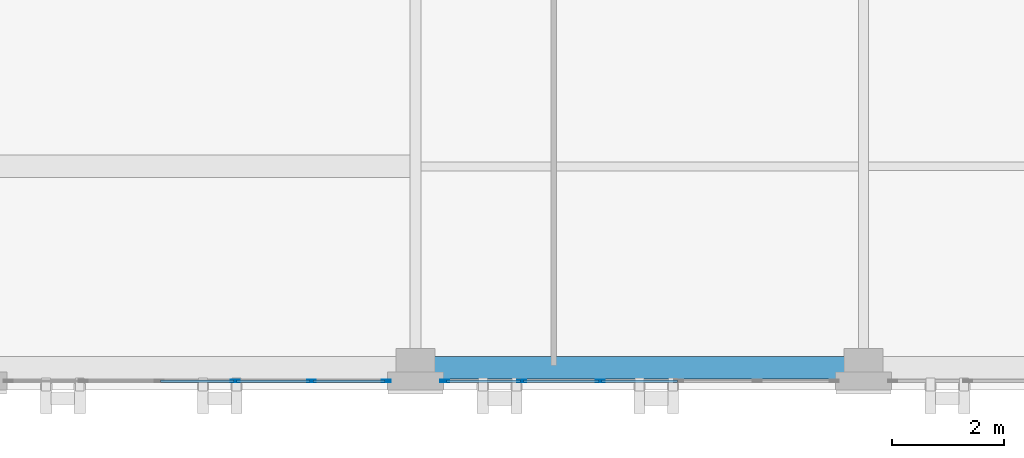
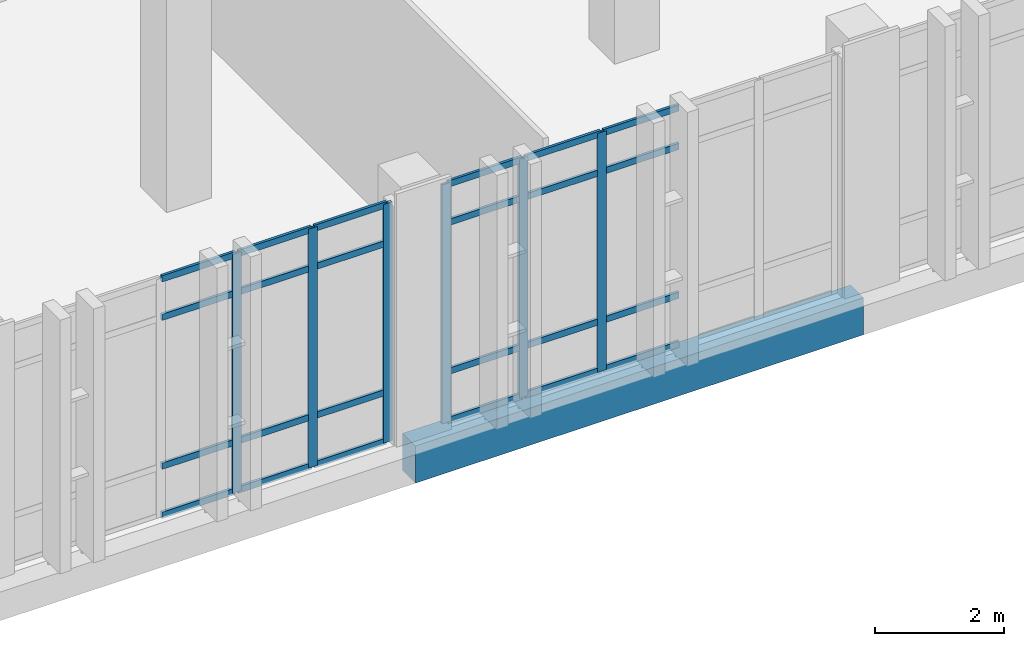
# One storey, part 117 of 189: 30 members, 1 beam, 2 elements without a shape of their own.
"""IFC4 building model written with IfcOpenShell, lengths in metres."""

from ifc_helpers import new_model, si_unit, direction, frame, origin, origin_2d, place, context, subcontext, project, spatial, rectangle, hollow_rectangle, extrude, material, layer, layer_set, material_profile, profile_set, type_object, element, aggregate, save


model = new_model("IFC4")

# Units and contexts
model_context = context("Model", 3, precision=1e-05, world=origin(), true_north=direction((0.0, 1.0)))
body_context = subcontext(model_context, "Body", "Model", "MODEL_VIEW")
ifc_project = project(units=[si_unit("LENGTHUNIT", "METRE"), si_unit("AREAUNIT", "SQUARE_METRE"), si_unit("VOLUMEUNIT", "CUBIC_METRE"), si_unit("PLANEANGLEUNIT", "RADIAN"), si_unit("MASSUNIT", "GRAM", prefix="KILO")], contexts=[model_context])

# Site, building, storey
site_placement = place(None, origin())
site = spatial("IfcSite", under=ifc_project, at=site_placement, CompositionType="ELEMENT")
building_placement = place(site_placement, origin())
building = spatial("IfcBuilding", under=site, at=building_placement, Name="Qalavern Law Courts", CompositionType="ELEMENT")
storey_placement = place(building_placement, frame((0.0, 0.0, 5.39990234375)))
storey = spatial("IfcBuildingStorey", under=building, at=storey_placement, Name="L01", CompositionType="ELEMENT", Elevation=5.39990234375)

# Curtain wall, members
ifc_material_1 = material(Name="Anodised aluminium and insulated glazing", Category="aluminium")
ifc_layer = layer(ifc_material_1, 0.172119140625)
ifc_layer_set = layer_set([ifc_layer], Name="Anodised aluminium and insulated glazing")
curtain_wall_type = type_object("IfcCurtainWallType", Name="ENV-CW-COURT", PredefinedType="USERDEFINED", material=ifc_layer_set)
curtain_wall_1_placement = place(storey_placement, origin())
curtain_wall_1 = element("IfcCurtainWall", 1, at=curtain_wall_1_placement, inside=storey, type_object=curtain_wall_type, Name="V6 unitised curtain wall L01 south 5", ObjectType="UNITISED CURTAIN WALL", PredefinedType="USERDEFINED")
ifc_material_2 = material(Name="Anodised aluminium", Category="aluminium")
ifc_material_profile_1 = material_profile(ifc_material_2, hollow_rectangle(XDim=0.048095703125, YDim=0.159912109375, WallThickness=0.00390625, at=origin_2d()), Name="ALU MULLION 48x160")
ifc_profile_set_1 = profile_set([ifc_material_profile_1], Name="Anodised aluminium")
member_type_1 = type_object("IfcMemberType", Name="ENV-CWM-48x160", PredefinedType="MULLION", material=ifc_profile_set_1)
member_1_placement = place(storey_placement, frame((146.580078125, 1.16259765625, 0.0), z_axis=(0.0, 0.0, 1.0), x_axis=(0.0, 1.0, 0.0)))
member_1 = element("IfcMember", 2, at=member_1_placement, type_object=member_type_1, Name="CW-03 mullion 4", PredefinedType="MULLION", context=body_context, shape_type="SweptSolid", body=[
    extrude(hollow_rectangle(XDim=0.048095703125, YDim=0.159912109375, WallThickness=0.00390625, at=origin_2d()), origin(), (0.0, 0.0, 1.0), 4.510009765625),
])
member_2_placement = place(storey_placement, frame((147.93994140625, 1.16259765625, 0.0), z_axis=(0.0, 0.0, 1.0), x_axis=(0.0, 1.0, 0.0)))
member_2 = element("IfcMember", 3, at=member_2_placement, type_object=member_type_1, Name="CW-03 mullion 5", PredefinedType="MULLION", context=body_context, shape_type="SweptSolid", body=[
    extrude(hollow_rectangle(XDim=0.048095703125, YDim=0.159912109375, WallThickness=0.00390625, at=origin_2d()), origin(), (0.0, 0.0, 1.0), 4.510009765625),
])
member_3_placement = place(storey_placement, frame((149.27587890625, 1.16259765625, 0.0), z_axis=(0.0, 0.0, 1.0), x_axis=(0.0, 1.0, 0.0)))
member_3 = element("IfcMember", 4, at=member_3_placement, type_object=member_type_1, Name="CW-03 mullion 6", PredefinedType="MULLION", context=body_context, shape_type="SweptSolid", body=[
    extrude(hollow_rectangle(XDim=0.048095703125, YDim=0.159912109375, WallThickness=0.00390625, at=origin_2d()), origin(), (0.0, 0.0, 1.0), 4.510009765625),
])

curtain_wall_2_placement = place(storey_placement, origin())
curtain_wall_2 = element("IfcCurtainWall", 5, at=curtain_wall_2_placement, inside=storey, type_object=curtain_wall_type, Name="V6 unitised curtain wall L01 south 6", ObjectType="UNITISED CURTAIN WALL", PredefinedType="USERDEFINED")
member_4_placement = place(storey_placement, frame((150.323974609375, 1.16259765625, 0.0), z_axis=(0.0, 0.0, 1.0), x_axis=(0.0, 1.0, 0.0)))
member_4 = element("IfcMember", 6, at=member_4_placement, type_object=member_type_1, Name="CW-03 mullion 1", PredefinedType="MULLION", context=body_context, shape_type="SweptSolid", body=[
    extrude(hollow_rectangle(XDim=0.048095703125, YDim=0.159912109375, WallThickness=0.00390625, at=origin_2d()), origin(), (0.0, 0.0, 1.0), 4.510009765625),
])
member_5_placement = place(storey_placement, frame((151.699951171875, 1.16259765625, 0.0), z_axis=(0.0, 0.0, 1.0), x_axis=(0.0, 1.0, 0.0)))
member_5 = element("IfcMember", 7, at=member_5_placement, type_object=member_type_1, Name="CW-03 mullion 2", PredefinedType="MULLION", context=body_context, shape_type="SweptSolid", body=[
    extrude(hollow_rectangle(XDim=0.048095703125, YDim=0.159912109375, WallThickness=0.00390625, at=origin_2d()), origin(), (0.0, 0.0, 1.0), 4.510009765625),
])
member_6_placement = place(storey_placement, frame((153.10009765625, 1.16259765625, 0.0), z_axis=(0.0, 0.0, 1.0), x_axis=(0.0, 1.0, 0.0)))
member_6 = element("IfcMember", 8, at=member_6_placement, type_object=member_type_1, Name="CW-03 mullion 3", PredefinedType="MULLION", context=body_context, shape_type="SweptSolid", body=[
    extrude(hollow_rectangle(XDim=0.048095703125, YDim=0.159912109375, WallThickness=0.00390625, at=origin_2d()), origin(), (0.0, 0.0, 1.0), 4.510009765625),
])

# Member
ifc_material_profile_2 = material_profile(ifc_material_2, hollow_rectangle(XDim=0.048095703125, YDim=0.1201171875, WallThickness=0.00390625, at=origin_2d()), Name="ALU TRANSOM 48x120")
ifc_profile_set_2 = profile_set([ifc_material_profile_2], Name="Anodised aluminium")
member_type_2 = type_object("IfcMemberType", Name="ENV-CWT-48x120", PredefinedType="USERDEFINED", material=ifc_profile_set_2)
member_7_placement = place(storey_placement, frame((145.243896484375, 1.16259765625, 0.024169921875), z_axis=(1.0, 0.0, 0.0), x_axis=(0.0, 1.0, 0.0)))
member_7 = element("IfcMember", 9, at=member_7_placement, type_object=member_type_2, Name="CW-03 transom 3.1", ObjectType="TRANSOM", PredefinedType="USERDEFINED", context=body_context, shape_type="SweptSolid", body=[
    extrude(hollow_rectangle(XDim=0.048095703125, YDim=0.1201171875, WallThickness=0.00390625, at=origin_2d()), origin(), (0.0, 0.0, 1.0), 1.31201171875),
])

member_8_placement = place(storey_placement, frame((145.243896484375, 1.16259765625, 0.9501953125), z_axis=(1.0, 0.0, 0.0), x_axis=(0.0, 1.0, 0.0)))
member_8 = element("IfcMember", 10, at=member_8_placement, type_object=member_type_2, Name="CW-03 transom 3.2", ObjectType="TRANSOM", PredefinedType="USERDEFINED", context=body_context, shape_type="SweptSolid", body=[
    extrude(hollow_rectangle(XDim=0.048095703125, YDim=0.1201171875, WallThickness=0.00390625, at=origin_2d()), origin(), (0.0, 0.0, 1.0), 1.31201171875),
])

member_9_placement = place(storey_placement, frame((145.243896484375, 1.16259765625, 3.760009765625), z_axis=(1.0, 0.0, 0.0), x_axis=(0.0, 1.0, 0.0)))
member_9 = element("IfcMember", 11, at=member_9_placement, type_object=member_type_2, Name="CW-03 transom 3.3", ObjectType="TRANSOM", PredefinedType="USERDEFINED", context=body_context, shape_type="SweptSolid", body=[
    extrude(hollow_rectangle(XDim=0.048095703125, YDim=0.1201171875, WallThickness=0.00390625, at=origin_2d()), origin(), (0.0, 0.0, 1.0), 1.31201171875),
])

member_10_placement = place(storey_placement, frame((145.243896484375, 1.16259765625, 4.486083984375), z_axis=(1.0, 0.0, 0.0), x_axis=(0.0, 1.0, 0.0)))
member_10 = element("IfcMember", 12, at=member_10_placement, type_object=member_type_2, Name="CW-03 transom 3.4", ObjectType="TRANSOM", PredefinedType="USERDEFINED", context=body_context, shape_type="SweptSolid", body=[
    extrude(hollow_rectangle(XDim=0.048095703125, YDim=0.1201171875, WallThickness=0.00390625, at=origin_2d()), origin(), (0.0, 0.0, 1.0), 1.31201171875),
])

member_11_placement = place(storey_placement, frame((146.60400390625, 1.16259765625, 0.024169921875), z_axis=(1.0, 0.0, 0.0), x_axis=(0.0, 1.0, 0.0)))
member_11 = element("IfcMember", 13, at=member_11_placement, type_object=member_type_2, Name="CW-03 transom 4.1", ObjectType="TRANSOM", PredefinedType="USERDEFINED", context=body_context, shape_type="SweptSolid", body=[
    extrude(hollow_rectangle(XDim=0.048095703125, YDim=0.1201171875, WallThickness=0.00390625, at=origin_2d()), origin(), (0.0, 0.0, 1.0), 1.31201171875),
])

member_12_placement = place(storey_placement, frame((146.60400390625, 1.16259765625, 0.9501953125), z_axis=(1.0, 0.0, 0.0), x_axis=(0.0, 1.0, 0.0)))
member_12 = element("IfcMember", 14, at=member_12_placement, type_object=member_type_2, Name="CW-03 transom 4.2", ObjectType="TRANSOM", PredefinedType="USERDEFINED", context=body_context, shape_type="SweptSolid", body=[
    extrude(hollow_rectangle(XDim=0.048095703125, YDim=0.1201171875, WallThickness=0.00390625, at=origin_2d()), origin(), (0.0, 0.0, 1.0), 1.31201171875),
])

member_13_placement = place(storey_placement, frame((146.60400390625, 1.16259765625, 3.760009765625), z_axis=(1.0, 0.0, 0.0), x_axis=(0.0, 1.0, 0.0)))
member_13 = element("IfcMember", 15, at=member_13_placement, type_object=member_type_2, Name="CW-03 transom 4.3", ObjectType="TRANSOM", PredefinedType="USERDEFINED", context=body_context, shape_type="SweptSolid", body=[
    extrude(hollow_rectangle(XDim=0.048095703125, YDim=0.1201171875, WallThickness=0.00390625, at=origin_2d()), origin(), (0.0, 0.0, 1.0), 1.31201171875),
])

member_14_placement = place(storey_placement, frame((146.60400390625, 1.16259765625, 4.486083984375), z_axis=(1.0, 0.0, 0.0), x_axis=(0.0, 1.0, 0.0)))
member_14 = element("IfcMember", 16, at=member_14_placement, type_object=member_type_2, Name="CW-03 transom 4.4", ObjectType="TRANSOM", PredefinedType="USERDEFINED", context=body_context, shape_type="SweptSolid", body=[
    extrude(hollow_rectangle(XDim=0.048095703125, YDim=0.1201171875, WallThickness=0.00390625, at=origin_2d()), origin(), (0.0, 0.0, 1.0), 1.31201171875),
])

member_15_placement = place(storey_placement, frame((147.964111328125, 1.16259765625, 0.024169921875), z_axis=(1.0, 0.0, 0.0), x_axis=(0.0, 1.0, 0.0)))
member_15 = element("IfcMember", 17, at=member_15_placement, type_object=member_type_2, Name="CW-03 transom 5.1", ObjectType="TRANSOM", PredefinedType="USERDEFINED", context=body_context, shape_type="SweptSolid", body=[
    extrude(hollow_rectangle(XDim=0.048095703125, YDim=0.1201171875, WallThickness=0.00390625, at=origin_2d()), origin(), (0.0, 0.0, 1.0), 1.287841796875),
])

member_16_placement = place(storey_placement, frame((147.964111328125, 1.16259765625, 0.9501953125), z_axis=(1.0, 0.0, 0.0), x_axis=(0.0, 1.0, 0.0)))
member_16 = element("IfcMember", 18, at=member_16_placement, type_object=member_type_2, Name="CW-03 transom 5.2", ObjectType="TRANSOM", PredefinedType="USERDEFINED", context=body_context, shape_type="SweptSolid", body=[
    extrude(hollow_rectangle(XDim=0.048095703125, YDim=0.1201171875, WallThickness=0.00390625, at=origin_2d()), origin(), (0.0, 0.0, 1.0), 1.287841796875),
])

member_17_placement = place(storey_placement, frame((147.964111328125, 1.16259765625, 3.760009765625), z_axis=(1.0, 0.0, 0.0), x_axis=(0.0, 1.0, 0.0)))
member_17 = element("IfcMember", 19, at=member_17_placement, type_object=member_type_2, Name="CW-03 transom 5.3", ObjectType="TRANSOM", PredefinedType="USERDEFINED", context=body_context, shape_type="SweptSolid", body=[
    extrude(hollow_rectangle(XDim=0.048095703125, YDim=0.1201171875, WallThickness=0.00390625, at=origin_2d()), origin(), (0.0, 0.0, 1.0), 1.287841796875),
])

member_18_placement = place(storey_placement, frame((147.964111328125, 1.16259765625, 4.486083984375), z_axis=(1.0, 0.0, 0.0), x_axis=(0.0, 1.0, 0.0)))
member_18 = element("IfcMember", 20, at=member_18_placement, type_object=member_type_2, Name="CW-03 transom 5.4", ObjectType="TRANSOM", PredefinedType="USERDEFINED", context=body_context, shape_type="SweptSolid", body=[
    extrude(hollow_rectangle(XDim=0.048095703125, YDim=0.1201171875, WallThickness=0.00390625, at=origin_2d()), origin(), (0.0, 0.0, 1.0), 1.287841796875),
])

aggregate(curtain_wall_1, [member_1, member_2, member_3, member_7, member_8, member_9, member_10, member_11, member_12, member_13, member_14, member_15, member_16, member_17, member_18])

member_19_placement = place(storey_placement, frame((150.347900390625, 1.16259765625, 0.024169921875), z_axis=(1.0, 0.0, 0.0), x_axis=(0.0, 1.0, 0.0)))
member_19 = element("IfcMember", 21, at=member_19_placement, type_object=member_type_2, Name="CW-03 transom 1.1", ObjectType="TRANSOM", PredefinedType="USERDEFINED", context=body_context, shape_type="SweptSolid", body=[
    extrude(hollow_rectangle(XDim=0.048095703125, YDim=0.1201171875, WallThickness=0.00390625, at=origin_2d()), origin(), (0.0, 0.0, 1.0), 1.328125),
])

member_20_placement = place(storey_placement, frame((150.347900390625, 1.16259765625, 0.9501953125), z_axis=(1.0, 0.0, 0.0), x_axis=(0.0, 1.0, 0.0)))
member_20 = element("IfcMember", 22, at=member_20_placement, type_object=member_type_2, Name="CW-03 transom 1.2", ObjectType="TRANSOM", PredefinedType="USERDEFINED", context=body_context, shape_type="SweptSolid", body=[
    extrude(hollow_rectangle(XDim=0.048095703125, YDim=0.1201171875, WallThickness=0.00390625, at=origin_2d()), origin(), (0.0, 0.0, 1.0), 1.328125),
])

member_21_placement = place(storey_placement, frame((150.347900390625, 1.16259765625, 3.760009765625), z_axis=(1.0, 0.0, 0.0), x_axis=(0.0, 1.0, 0.0)))
member_21 = element("IfcMember", 23, at=member_21_placement, type_object=member_type_2, Name="CW-03 transom 1.3", ObjectType="TRANSOM", PredefinedType="USERDEFINED", context=body_context, shape_type="SweptSolid", body=[
    extrude(hollow_rectangle(XDim=0.048095703125, YDim=0.1201171875, WallThickness=0.00390625, at=origin_2d()), origin(), (0.0, 0.0, 1.0), 1.328125),
])

member_22_placement = place(storey_placement, frame((150.347900390625, 1.16259765625, 4.486083984375), z_axis=(1.0, 0.0, 0.0), x_axis=(0.0, 1.0, 0.0)))
member_22 = element("IfcMember", 24, at=member_22_placement, type_object=member_type_2, Name="CW-03 transom 1.4", ObjectType="TRANSOM", PredefinedType="USERDEFINED", context=body_context, shape_type="SweptSolid", body=[
    extrude(hollow_rectangle(XDim=0.048095703125, YDim=0.1201171875, WallThickness=0.00390625, at=origin_2d()), origin(), (0.0, 0.0, 1.0), 1.328125),
])

member_23_placement = place(storey_placement, frame((151.72412109375, 1.16259765625, 0.024169921875), z_axis=(1.0, 0.0, 0.0), x_axis=(0.0, 1.0, 0.0)))
member_23 = element("IfcMember", 25, at=member_23_placement, type_object=member_type_2, Name="CW-03 transom 2.1", ObjectType="TRANSOM", PredefinedType="USERDEFINED", context=body_context, shape_type="SweptSolid", body=[
    extrude(hollow_rectangle(XDim=0.048095703125, YDim=0.1201171875, WallThickness=0.00390625, at=origin_2d()), origin(), (0.0, 0.0, 1.0), 1.351806640625),
])

member_24_placement = place(storey_placement, frame((151.72412109375, 1.16259765625, 0.9501953125), z_axis=(1.0, 0.0, 0.0), x_axis=(0.0, 1.0, 0.0)))
member_24 = element("IfcMember", 26, at=member_24_placement, type_object=member_type_2, Name="CW-03 transom 2.2", ObjectType="TRANSOM", PredefinedType="USERDEFINED", context=body_context, shape_type="SweptSolid", body=[
    extrude(hollow_rectangle(XDim=0.048095703125, YDim=0.1201171875, WallThickness=0.00390625, at=origin_2d()), origin(), (0.0, 0.0, 1.0), 1.351806640625),
])

member_25_placement = place(storey_placement, frame((151.72412109375, 1.16259765625, 3.760009765625), z_axis=(1.0, 0.0, 0.0), x_axis=(0.0, 1.0, 0.0)))
member_25 = element("IfcMember", 27, at=member_25_placement, type_object=member_type_2, Name="CW-03 transom 2.3", ObjectType="TRANSOM", PredefinedType="USERDEFINED", context=body_context, shape_type="SweptSolid", body=[
    extrude(hollow_rectangle(XDim=0.048095703125, YDim=0.1201171875, WallThickness=0.00390625, at=origin_2d()), origin(), (0.0, 0.0, 1.0), 1.351806640625),
])

member_26_placement = place(storey_placement, frame((151.72412109375, 1.16259765625, 4.486083984375), z_axis=(1.0, 0.0, 0.0), x_axis=(0.0, 1.0, 0.0)))
member_26 = element("IfcMember", 28, at=member_26_placement, type_object=member_type_2, Name="CW-03 transom 2.4", ObjectType="TRANSOM", PredefinedType="USERDEFINED", context=body_context, shape_type="SweptSolid", body=[
    extrude(hollow_rectangle(XDim=0.048095703125, YDim=0.1201171875, WallThickness=0.00390625, at=origin_2d()), origin(), (0.0, 0.0, 1.0), 1.351806640625),
])

member_27_placement = place(storey_placement, frame((153.1240234375, 1.16259765625, 0.024169921875), z_axis=(1.0, 0.0, 0.0), x_axis=(0.0, 1.0, 0.0)))
member_27 = element("IfcMember", 29, at=member_27_placement, type_object=member_type_2, Name="CW-03 transom 3.1", ObjectType="TRANSOM", PredefinedType="USERDEFINED", context=body_context, shape_type="SweptSolid", body=[
    extrude(hollow_rectangle(XDim=0.048095703125, YDim=0.1201171875, WallThickness=0.00390625, at=origin_2d()), origin(), (0.0, 0.0, 1.0), 1.35205078125),
])

member_28_placement = place(storey_placement, frame((153.1240234375, 1.16259765625, 0.9501953125), z_axis=(1.0, 0.0, 0.0), x_axis=(0.0, 1.0, 0.0)))
member_28 = element("IfcMember", 30, at=member_28_placement, type_object=member_type_2, Name="CW-03 transom 3.2", ObjectType="TRANSOM", PredefinedType="USERDEFINED", context=body_context, shape_type="SweptSolid", body=[
    extrude(hollow_rectangle(XDim=0.048095703125, YDim=0.1201171875, WallThickness=0.00390625, at=origin_2d()), origin(), (0.0, 0.0, 1.0), 1.35205078125),
])

member_29_placement = place(storey_placement, frame((153.1240234375, 1.16259765625, 3.760009765625), z_axis=(1.0, 0.0, 0.0), x_axis=(0.0, 1.0, 0.0)))
member_29 = element("IfcMember", 31, at=member_29_placement, type_object=member_type_2, Name="CW-03 transom 3.3", ObjectType="TRANSOM", PredefinedType="USERDEFINED", context=body_context, shape_type="SweptSolid", body=[
    extrude(hollow_rectangle(XDim=0.048095703125, YDim=0.1201171875, WallThickness=0.00390625, at=origin_2d()), origin(), (0.0, 0.0, 1.0), 1.35205078125),
])

member_30_placement = place(storey_placement, frame((153.1240234375, 1.16259765625, 4.486083984375), z_axis=(1.0, 0.0, 0.0), x_axis=(0.0, 1.0, 0.0)))
member_30 = element("IfcMember", 32, at=member_30_placement, type_object=member_type_2, Name="CW-03 transom 3.4", ObjectType="TRANSOM", PredefinedType="USERDEFINED", context=body_context, shape_type="SweptSolid", body=[
    extrude(hollow_rectangle(XDim=0.048095703125, YDim=0.1201171875, WallThickness=0.00390625, at=origin_2d()), origin(), (0.0, 0.0, 1.0), 1.35205078125),
])

aggregate(curtain_wall_2, [member_4, member_5, member_6, member_19, member_20, member_21, member_22, member_23, member_24, member_25, member_26, member_27, member_28, member_29, member_30])

# Beam
ifc_material_3 = material(Name="Concrete C40/50", Category="concrete")
ifc_material_profile_3 = material_profile(ifc_material_3, rectangle(XDim=0.39990234375, YDim=0.699951171875, at=origin_2d()), Name="RC 400x700")
ifc_profile_set_3 = profile_set([ifc_material_profile_3], Name="Concrete C40/50")
beam_type = type_object("IfcBeamType", Name="STR-SP-RC400x700", PredefinedType="SPANDREL", material=ifc_profile_set_3)
beam_placement = place(storey_placement, frame((149.800048828125, 1.39990234375, -0.64990234375), z_axis=(1.0, 0.0, 0.0), x_axis=(0.0, 1.0, 0.0)))
element("IfcBeam", 33, at=beam_placement, inside=storey, type_object=beam_type, Name="V6 X-beam 1-7 L01", PredefinedType="SPANDREL", context=body_context, shape_type="SweptSolid", body=[
    extrude(rectangle(XDim=0.39990234375, YDim=0.699951171875, at=origin_2d()), origin(), (0.0, 0.0, 1.0), 8.0),
])

save(model, "model.ifc")
